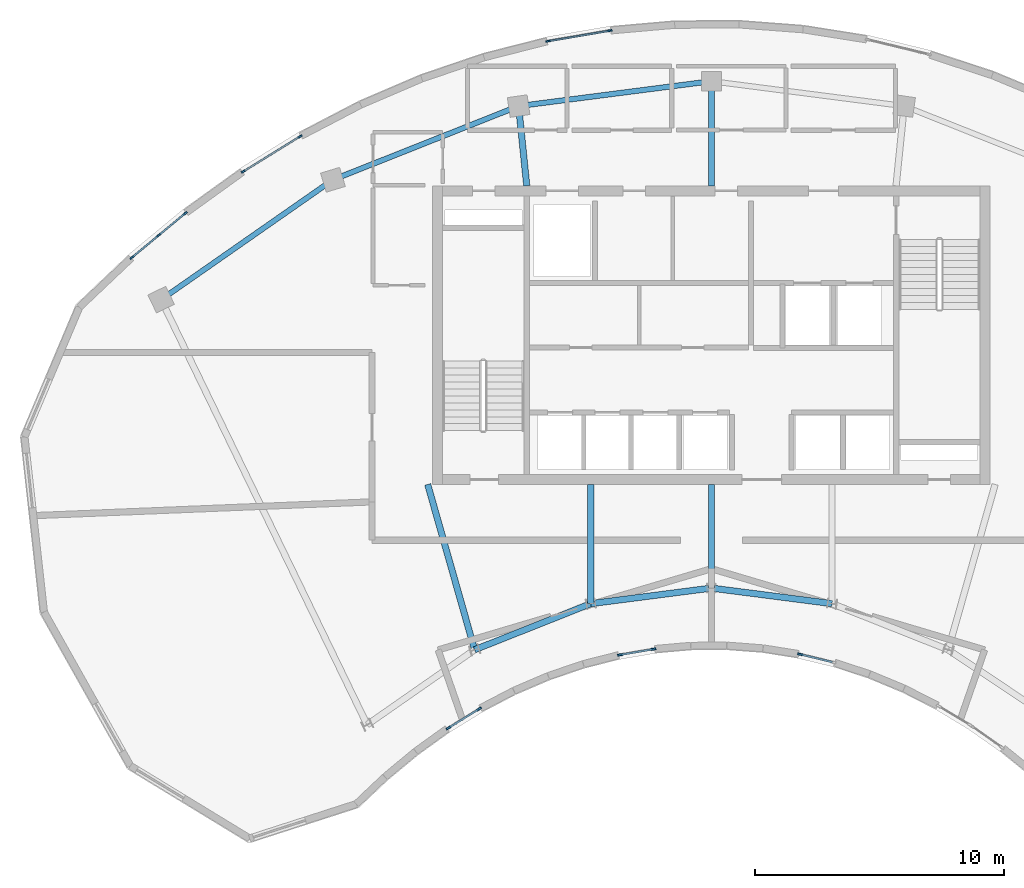
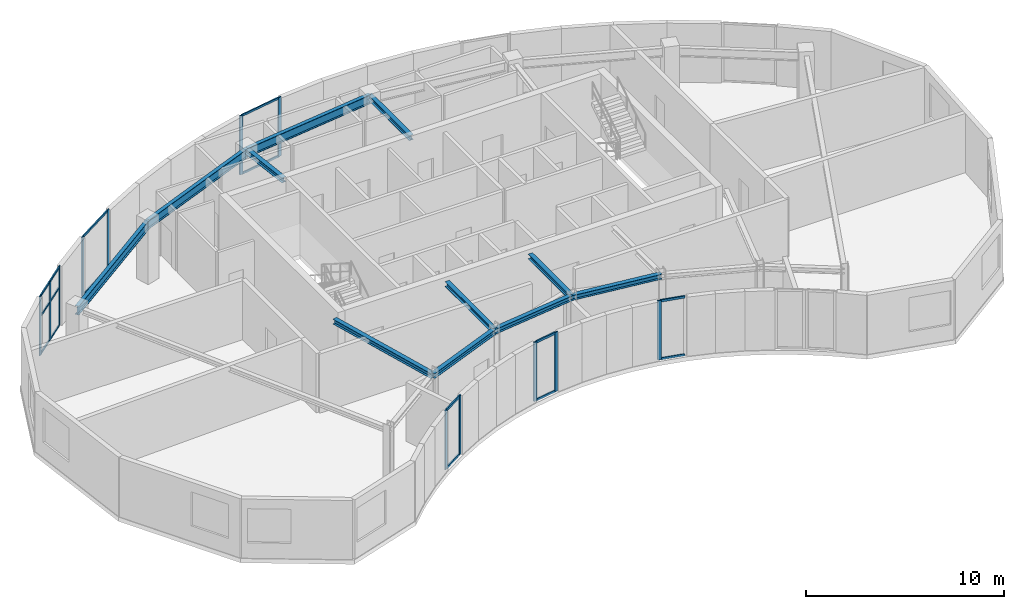
# One storey, part 2 of 9: 28 members, 11 beams, 6 elements without a shape of their own.
"""IFC4 building model written with IfcOpenShell, lengths in metres."""

from ifc_helpers import new_model, si_unit, direction, frame, origin, origin_2d, place, context, subcontext, project, spatial, rectangle, i_section, extrude, source, transform, mapped, material, layer, layer_set, material_profile, profile_set, type_object, element, aggregate, save


model = new_model("IFC4")

# Units and contexts
model_context = context("Model", 3, precision=1e-05, world=origin(), true_north=direction((0.0, 1.0)))
body_context = subcontext(model_context, "Body", "Model", "MODEL_VIEW")
ifc_project = project(units=[si_unit("LENGTHUNIT", "METRE"), si_unit("AREAUNIT", "SQUARE_METRE"), si_unit("VOLUMEUNIT", "CUBIC_METRE"), si_unit("PLANEANGLEUNIT", "RADIAN"), si_unit("MASSUNIT", "GRAM", prefix="KILO")], contexts=[model_context])

# Site, building, storey
site_placement = place(None, origin())
site = spatial("IfcSite", under=ifc_project, at=site_placement, CompositionType="ELEMENT")
building_placement = place(site_placement, origin())
building = spatial("IfcBuilding", under=site, at=building_placement, Name="Breltana Convention Tower", CompositionType="ELEMENT")
storey_placement = place(building_placement, frame((0.0, 0.0, 299.10009765625)))
storey = spatial("IfcBuildingStorey", under=building, at=storey_placement, Name="L73", CompositionType="ELEMENT", Elevation=299.10009765625)

# Beams
ifc_material_1 = material(Name="Steel ASTM A992 Grade 50", Category="steel")
ifc_material_profile_1 = material_profile(ifc_material_1, i_section(OverallWidth=0.214111328125, OverallDepth=0.549072265625, WebThickness=0.0146484375, FlangeThickness=0.023681640625, at=origin_2d()), Name="W21X93")
ifc_profile_set_1 = profile_set([ifc_material_profile_1], Name="Steel ASTM A992 Grade 50")
beam_type_1 = type_object("IfcBeamType", Name="BM-SP-W21X93", PredefinedType="SPANDREL", material=ifc_profile_set_1)
shared_shape_1 = source(origin(), body_context, "Body", "SweptSolid", [
    extrude(i_section(OverallWidth=0.214111328125, OverallDepth=0.549072265625, WebThickness=0.0146484375, FlangeThickness=0.023681640625, at=origin_2d()), origin(), (0.0, 0.0, 1.0), 8.4169921875),
])
beam_1_placement = place(storey_placement, frame((25.8876953125, 67.626953125, 3.365478515625), z_axis=(0.820173800102, 0.572114444519, 0.0), x_axis=(-0.572114444519, 0.820173800102, 0.0)))
element("IfcBeam", 1, at=beam_1_placement, inside=storey, type_object=beam_type_1, Name="L73 Outer Spandrel Beam 03", PredefinedType="SPANDREL", context=body_context, shape_type="MappedRepresentation", body=[
    mapped(shared_shape_1, transform((0.0, 0.0, 0.0), scale=1.0)),
])
shared_shape_2 = source(origin(), body_context, "Body", "SweptSolid", [
    extrude(i_section(OverallWidth=0.214111328125, OverallDepth=0.549072265625, WebThickness=0.0146484375, FlangeThickness=0.023681640625, at=origin_2d()), origin(), (0.0, 0.0, 1.0), 8.028564453125),
])
beam_2_placement = place(storey_placement, frame((32.791015625, 72.4423828125, 3.365478515625), z_axis=(0.929459100394, 0.368925169507, 0.0), x_axis=(-0.368925169507, 0.929459100394, 0.0)))
element("IfcBeam", 2, at=beam_2_placement, inside=storey, type_object=beam_type_1, Name="L73 Outer Spandrel Beam 04", PredefinedType="SPANDREL", context=body_context, shape_type="MappedRepresentation", body=[
    mapped(shared_shape_2, transform((0.0, 0.0, 0.0), scale=1.0)),
])
shared_shape_3 = source(origin(), body_context, "Body", "SweptSolid", [
    extrude(i_section(OverallWidth=0.214111328125, OverallDepth=0.549072265625, WebThickness=0.0146484375, FlangeThickness=0.023681640625, at=origin_2d()), origin(), (0.0, 0.0, 1.0), 7.81103515625),
])
beam_3_placement = place(storey_placement, frame((40.253173828125, 75.404296875, 3.365478515625), z_axis=(0.991775179127, 0.127992164083, 0.0), x_axis=(-0.127992164083, 0.991775179127, 0.0)))
element("IfcBeam", 3, at=beam_3_placement, inside=storey, type_object=beam_type_1, Name="L73 Outer Spandrel Beam 05", PredefinedType="SPANDREL", context=body_context, shape_type="MappedRepresentation", body=[
    mapped(shared_shape_3, transform((0.0, 0.0, 0.0), scale=1.0)),
])
ifc_material_profile_2 = material_profile(ifc_material_1, i_section(OverallWidth=0.25390625, OverallDepth=0.305908203125, WebThickness=0.0087890625, FlangeThickness=0.0146484375, at=origin_2d()), Name="W12X53")
ifc_profile_set_2 = profile_set([ifc_material_profile_2], Name="Steel ASTM A992 Grade 50")
beam_type_2 = type_object("IfcBeamType", Name="BM-CN-W12X53", PredefinedType="BEAM", material=ifc_profile_set_2)
shared_shape_4 = source(origin(), body_context, "Body", "SweptSolid", [
    extrude(i_section(OverallWidth=0.25390625, OverallDepth=0.305908203125, WebThickness=0.0087890625, FlangeThickness=0.0146484375, at=origin_2d()), origin(), (0.0, 0.0, 1.0), 6.904541015625),
])
beam_4_placement = place(storey_placement, frame((36.60009765625, 60.199951171875, 3.48681640625), z_axis=(0.273006781054, -0.962012108811, 0.0), x_axis=(0.962012108811, 0.273006781054, 0.0)))
element("IfcBeam", 4, at=beam_4_placement, inside=storey, type_object=beam_type_2, Name="L73 South Core Tie Girder R04", PredefinedType="BEAM", context=body_context, shape_type="MappedRepresentation", body=[
    mapped(shared_shape_4, transform((0.0, 0.0, 0.0), scale=1.0)),
])
shared_shape_5 = source(origin(), body_context, "Body", "SweptSolid", [
    extrude(i_section(OverallWidth=0.25390625, OverallDepth=0.305908203125, WebThickness=0.0087890625, FlangeThickness=0.0146484375, at=origin_2d()), origin(), (0.0, 0.0, 1.0), 4.789306640625),
])
beam_5_placement = place(storey_placement, frame((43.153564453125, 60.199951171875, 3.48681640625), z_axis=(0.0, -1.0, 0.0), x_axis=(1.0, 0.0, 0.0)))
element("IfcBeam", 5, at=beam_5_placement, inside=storey, type_object=beam_type_2, Name="L73 South Core Tie Girder R05", PredefinedType="BEAM", context=body_context, shape_type="MappedRepresentation", body=[
    mapped(shared_shape_5, transform((0.0, 0.0, 0.0), scale=1.0)),
])
shared_shape_6 = source(origin(), body_context, "Body", "SweptSolid", [
    extrude(i_section(OverallWidth=0.25390625, OverallDepth=0.305908203125, WebThickness=0.0087890625, FlangeThickness=0.0146484375, at=origin_2d()), origin(), (0.0, 0.0, 1.0), 3.220947265625),
])
beam_6_placement = place(storey_placement, frame((40.580078125, 72.199951171875, 3.48681640625), z_axis=(-0.101492254858, 0.994836329355, 0.0), x_axis=(-0.994836329355, -0.101492254858, 0.0)))
element("IfcBeam", 6, at=beam_6_placement, inside=storey, type_object=beam_type_2, Name="L73 North Core Radial Girder R05", PredefinedType="BEAM", context=body_context, shape_type="MappedRepresentation", body=[
    mapped(shared_shape_6, transform((0.0, 0.0, 0.0), scale=1.0)),
])
shared_shape_7 = source(origin(), body_context, "Body", "SweptSolid", [
    extrude(i_section(OverallWidth=0.25390625, OverallDepth=0.305908203125, WebThickness=0.0087890625, FlangeThickness=0.0146484375, at=origin_2d()), origin(), (0.0, 0.0, 1.0), 4.1640625),
])
beam_7_placement = place(storey_placement, frame((48.0, 60.199951171875, 3.48681640625), z_axis=(0.0, -1.0, 0.0), x_axis=(1.0, 0.0, 0.0)))
element("IfcBeam", 7, at=beam_7_placement, inside=storey, type_object=beam_type_2, Name="L73 South Core Tie Girder R06", PredefinedType="BEAM", context=body_context, shape_type="MappedRepresentation", body=[
    mapped(shared_shape_7, transform((0.0, 0.0, 0.0), scale=1.0)),
])
shared_shape_8 = source(origin(), body_context, "Body", "SweptSolid", [
    extrude(i_section(OverallWidth=0.25390625, OverallDepth=0.305908203125, WebThickness=0.0087890625, FlangeThickness=0.0146484375, at=origin_2d()), origin(), (0.0, 0.0, 1.0), 4.2041015625),
])
beam_8_placement = place(storey_placement, frame((48.0, 72.199951171875, 3.48681640625), z_axis=(0.0, 1.0, 0.0), x_axis=(-1.0, 0.0, 0.0)))
element("IfcBeam", 8, at=beam_8_placement, inside=storey, type_object=beam_type_2, Name="L73 North Core Radial Girder R06", PredefinedType="BEAM", context=body_context, shape_type="MappedRepresentation", body=[
    mapped(shared_shape_8, transform((0.0, 0.0, 0.0), scale=1.0)),
])
shared_shape_9 = source(origin(), body_context, "Body", "SweptSolid", [
    extrude(i_section(OverallWidth=0.25390625, OverallDepth=0.305908203125, WebThickness=0.0087890625, FlangeThickness=0.0146484375, at=origin_2d()), origin(), (0.0, 0.0, 1.0), 5.022705078125),
])
beam_9_placement = place(storey_placement, frame((38.485107421875, 53.5576171875, 3.48681640625), z_axis=(0.929458966248, 0.368925507469, 0.0), x_axis=(-0.368925507469, 0.929458966248, 0.0)))
element("IfcBeam", 9, at=beam_9_placement, inside=storey, type_object=beam_type_2, Name="L73 Inner Ring Beam 04", PredefinedType="BEAM", context=body_context, shape_type="MappedRepresentation", body=[
    mapped(shared_shape_9, transform((0.0, 0.0, 0.0), scale=1.0)),
])
shared_shape_10 = source(origin(), body_context, "Body", "SweptSolid", [
    extrude(i_section(OverallWidth=0.25390625, OverallDepth=0.305908203125, WebThickness=0.0087890625, FlangeThickness=0.0146484375, at=origin_2d()), origin(), (0.0, 0.0, 1.0), 4.88671875),
])
for number, where, z_axis, x_axis, name in (
    (10, (43.153564453125, 55.41064453125, 3.48681640625), (0.991780525565, 0.127950729231, 0.0), (-0.127950729231, 0.991780525565, 0.0), "L73 Inner Ring Beam 05"),
    (11, (48.0, 56.035888671875, 3.48681640625), (0.991780525565, -0.127950729231, 0.0), (0.127950729231, 0.991780525565, 0.0), "L73 Inner Ring Beam 06"),
):
    element("IfcBeam", number, at=place(storey_placement, frame(where, z_axis=z_axis, x_axis=x_axis)), inside=storey, type_object=beam_type_2, Name=name, PredefinedType="BEAM", context=body_context, shape_type="MappedRepresentation", body=[
        mapped(shared_shape_10, transform((0.0, 0.0, 0.0), scale=1.0)),
    ])

# Curtain wall, member
ifc_material_2 = material(Name="Aluminium Anodised Bronze Frame", Category="aluminium")
ifc_layer_1 = layer(ifc_material_2, 0.18994140625, Name="Aluminium Anodised Bronze Frame")
ifc_layer_set_1 = layer_set([ifc_layer_1], Name="Aluminium Anodised Bronze Frame")
curtain_wall_type_1 = type_object("IfcCurtainWallType", Name="CW-SYS-1", PredefinedType="NOTDEFINED", material=ifc_layer_set_1)
curtain_wall_1_placement = place(storey_placement, origin())
curtain_wall_1 = element("IfcCurtainWall", 12, at=curtain_wall_1_placement, inside=storey, type_object=curtain_wall_type_1, Name="L73 inner south-court glazing 3", PredefinedType="NOTDEFINED")
ifc_material_3 = material(Name="Aluminium Anodised Bronze", Category="aluminium")
ifc_material_profile_3 = material_profile(ifc_material_3, rectangle(XDim=0.080078125, YDim=0.199951171875, at=origin_2d()), Name="CWM-80X200")
ifc_profile_set_3 = profile_set([ifc_material_profile_3], Name="Aluminium Anodised Bronze")
member_type_1 = type_object("IfcMemberType", Name="CWM-200", PredefinedType="MULLION", material=ifc_profile_set_3)
shared_shape_11 = source(origin(), body_context, "Body", "SweptSolid", [
    extrude(rectangle(XDim=0.080078125, YDim=0.199951171875, at=origin_2d()), origin(), (0.0, 0.0, 1.0), 3.639892578125),
])
member_1_placement = place(storey_placement, frame((51.562255859375, 53.3759765625, 0.0), z_axis=(0.0, 0.0, 1.0), x_axis=(-0.235517485062, -0.97187011181, 0.0)))
member_1 = element("IfcMember", 13, at=member_1_placement, type_object=member_type_1, Name="CW-01 mullion 2", PredefinedType="MULLION", context=body_context, shape_type="MappedRepresentation", body=[
    mapped(shared_shape_11, transform((0.0, 0.0, 0.0), scale=1.0)),
])

# Curtain wall, members
curtain_wall_2_placement = place(storey_placement, origin())
curtain_wall_2 = element("IfcCurtainWall", 14, at=curtain_wall_2_placement, inside=storey, type_object=curtain_wall_type_1, Name="L73 inner south-court glazing 4", PredefinedType="NOTDEFINED")
member_2_placement = place(storey_placement, frame((45.673095703125, 53.582275390625, 0.0), z_axis=(0.0, 0.0, 1.0), x_axis=(0.168027922521, -0.985782236223, 0.0)))
member_2 = element("IfcMember", 15, at=member_2_placement, type_object=member_type_1, Name="CW-01 mullion 1", PredefinedType="MULLION", context=body_context, shape_type="MappedRepresentation", body=[
    mapped(shared_shape_11, transform((0.0, 0.0, 0.0), scale=1.0)),
])
member_3_placement = place(storey_placement, frame((44.3251953125, 53.3525390625, 0.0), z_axis=(0.0, 0.0, 1.0), x_axis=(0.168027922521, -0.985782236223, 0.0)))
member_3 = element("IfcMember", 16, at=member_3_placement, type_object=member_type_1, Name="CW-01 mullion 2", PredefinedType="MULLION", context=body_context, shape_type="MappedRepresentation", body=[
    mapped(shared_shape_11, transform((0.0, 0.0, 0.0), scale=1.0)),
])

curtain_wall_3_placement = place(storey_placement, origin())
curtain_wall_3 = element("IfcCurtainWall", 17, at=curtain_wall_3_placement, inside=storey, type_object=curtain_wall_type_1, Name="L73 inner south-court glazing 5", PredefinedType="NOTDEFINED")
member_4_placement = place(storey_placement, frame((38.669677734375, 51.180419921875, 0.0), z_axis=(0.0, 0.0, 1.0), x_axis=(0.525571911271, -0.850749179302, 0.0)))
member_4 = element("IfcMember", 18, at=member_4_placement, type_object=member_type_1, Name="CW-01 mullion 1", PredefinedType="MULLION", context=body_context, shape_type="MappedRepresentation", body=[
    mapped(shared_shape_11, transform((0.0, 0.0, 0.0), scale=1.0)),
])
member_5_placement = place(storey_placement, frame((37.431396484375, 50.41552734375, 0.0), z_axis=(0.0, 0.0, 1.0), x_axis=(0.525571911271, -0.850749179302, 0.0)))
member_5 = element("IfcMember", 19, at=member_5_placement, type_object=member_type_1, Name="CW-01 mullion 2", PredefinedType="MULLION", context=body_context, shape_type="MappedRepresentation", body=[
    mapped(shared_shape_11, transform((0.0, 0.0, 0.0), scale=1.0)),
])

ifc_layer_2 = layer(ifc_material_2, 0.22998046875, Name="Aluminium Anodised Bronze Frame")
ifc_layer_set_2 = layer_set([ifc_layer_2], Name="Aluminium Anodised Bronze Frame")
curtain_wall_type_2 = type_object("IfcCurtainWallType", Name="CW-SYS-5", PredefinedType="NOTDEFINED", material=ifc_layer_set_2)
curtain_wall_4_placement = place(storey_placement, origin())
curtain_wall_4 = element("IfcCurtainWall", 20, at=curtain_wall_4_placement, inside=storey, type_object=curtain_wall_type_2, Name="L73 outer double-skin inner glazing 1", PredefinedType="NOTDEFINED")
ifc_material_profile_4 = material_profile(ifc_material_3, rectangle(XDim=0.070068359375, YDim=0.175048828125, at=origin_2d()), Name="CWM-70X175")
ifc_profile_set_4 = profile_set([ifc_material_profile_4], Name="Aluminium Anodised Bronze")
member_type_2 = type_object("IfcMemberType", Name="CWM-175", PredefinedType="MULLION", material=ifc_profile_set_4)
shared_shape_12 = source(origin(), body_context, "Body", "SweptSolid", [
    extrude(rectangle(XDim=0.070068359375, YDim=0.175048828125, at=origin_2d()), origin(), (0.0, 0.0, 1.0), 3.639892578125),
])
member_6_placement = place(storey_placement, frame((24.716796875, 69.321533203125, 0.0), z_axis=(0.0, 0.0, 1.0), x_axis=(-0.638320160979, 0.76977098678, 0.0)))
member_6 = element("IfcMember", 21, at=member_6_placement, type_object=member_type_2, Name="CW-05 mullion 1", PredefinedType="MULLION", context=body_context, shape_type="MappedRepresentation", body=[
    mapped(shared_shape_12, transform((0.0, 0.0, 0.0), scale=1.0)),
])
member_7_placement = place(storey_placement, frame((25.78759765625, 70.209228515625, 0.0), z_axis=(0.0, 0.0, 1.0), x_axis=(-0.638320160979, 0.76977098678, 0.0)))
member_7 = element("IfcMember", 22, at=member_7_placement, type_object=member_type_2, Name="CW-05 mullion 2", PredefinedType="MULLION", context=body_context, shape_type="MappedRepresentation", body=[
    mapped(shared_shape_12, transform((0.0, 0.0, 0.0), scale=1.0)),
])
member_8_placement = place(storey_placement, frame((26.858154296875, 71.09716796875, 0.0), z_axis=(0.0, 0.0, 1.0), x_axis=(-0.638320160979, 0.76977098678, 0.0)))
member_8 = element("IfcMember", 23, at=member_8_placement, type_object=member_type_2, Name="CW-05 mullion 3", PredefinedType="MULLION", context=body_context, shape_type="MappedRepresentation", body=[
    mapped(shared_shape_12, transform((0.0, 0.0, 0.0), scale=1.0)),
])

curtain_wall_5_placement = place(storey_placement, origin())
curtain_wall_5 = element("IfcCurtainWall", 24, at=curtain_wall_5_placement, inside=storey, type_object=curtain_wall_type_2, Name="L73 outer double-skin inner glazing 2", PredefinedType="NOTDEFINED")
member_9_placement = place(storey_placement, frame((29.188720703125, 72.775146484375, 0.0), z_axis=(0.0, 0.0, 1.0), x_axis=(-0.525540797325, 0.850768399946, 0.0)))
member_9 = element("IfcMember", 25, at=member_9_placement, type_object=member_type_2, Name="CW-05 mullion 1", PredefinedType="MULLION", context=body_context, shape_type="MappedRepresentation", body=[
    mapped(shared_shape_12, transform((0.0, 0.0, 0.0), scale=1.0)),
])
member_10_placement = place(storey_placement, frame((31.47265625, 74.18603515625, 0.0), z_axis=(0.0, 0.0, 1.0), x_axis=(-0.525540797325, 0.850768399946, 0.0)))
member_10 = element("IfcMember", 26, at=member_10_placement, type_object=member_type_2, Name="CW-05 mullion 2", PredefinedType="MULLION", context=body_context, shape_type="MappedRepresentation", body=[
    mapped(shared_shape_12, transform((0.0, 0.0, 0.0), scale=1.0)),
])

curtain_wall_6_placement = place(storey_placement, origin())
curtain_wall_6 = element("IfcCurtainWall", 27, at=curtain_wall_6_placement, inside=storey, type_object=curtain_wall_type_2, Name="L73 outer double-skin inner glazing 3", PredefinedType="NOTDEFINED")
member_11_placement = place(storey_placement, frame((41.431396484375, 78.012451171875, 0.0), z_axis=(0.0, 0.0, 1.0), x_axis=(-0.168016928095, 0.985784110175, 0.0)))
member_11 = element("IfcMember", 28, at=member_11_placement, type_object=member_type_2, Name="CW-05 mullion 1", PredefinedType="MULLION", context=body_context, shape_type="MappedRepresentation", body=[
    mapped(shared_shape_12, transform((0.0, 0.0, 0.0), scale=1.0)),
])
member_12_placement = place(storey_placement, frame((43.919677734375, 78.4365234375, 0.0), z_axis=(0.0, 0.0, 1.0), x_axis=(-0.168016928095, 0.985784110175, 0.0)))
member_12 = element("IfcMember", 29, at=member_12_placement, type_object=member_type_2, Name="CW-05 mullion 2", PredefinedType="MULLION", context=body_context, shape_type="MappedRepresentation", body=[
    mapped(shared_shape_12, transform((0.0, 0.0, 0.0), scale=1.0)),
])

# Member
ifc_material_profile_5 = material_profile(ifc_material_3, rectangle(XDim=0.080078125, YDim=0.139892578125, at=origin_2d()), Name="CWT-80X140")
ifc_profile_set_5 = profile_set([ifc_material_profile_5], Name="Aluminium Anodised Bronze")
member_type_3 = type_object("IfcMemberType", Name="CWT-140", PredefinedType="USERDEFINED", material=ifc_profile_set_5)
shared_shape_13 = source(origin(), body_context, "Body", "SweptSolid", [
    extrude(rectangle(XDim=0.080078125, YDim=0.139892578125, at=origin_2d()), origin(), (0.0, 0.0, 1.0), 1.296142578125),
])
member_13_placement = place(storey_placement, frame((52.86083984375, 53.06103515625, 0.039794921875), z_axis=(-0.97184618516, 0.235616197216, 0.0), x_axis=(-0.235616197216, -0.97184618516, 0.0)))
member_13 = element("IfcMember", 30, at=member_13_placement, type_object=member_type_3, Name="CW-01 transom 1.1", ObjectType="TRANSOM", PredefinedType="USERDEFINED", context=body_context, shape_type="MappedRepresentation", body=[
    mapped(shared_shape_13, transform((0.0, 0.0, 0.0), scale=1.0)),
])

member_14_placement = place(storey_placement, frame((52.86083984375, 53.06103515625, 3.599853515625), z_axis=(-0.97184618516, 0.235616197216, 0.0), x_axis=(-0.235616197216, -0.97184618516, 0.0)))
member_14 = element("IfcMember", 31, at=member_14_placement, type_object=member_type_3, Name="CW-01 transom 1.2", ObjectType="TRANSOM", PredefinedType="USERDEFINED", context=body_context, shape_type="MappedRepresentation", body=[
    mapped(shared_shape_13, transform((0.0, 0.0, 0.0), scale=1.0)),
])

aggregate(curtain_wall_1, [member_1, member_13, member_14])

shared_shape_14 = source(origin(), body_context, "Body", "SweptSolid", [
    extrude(rectangle(XDim=0.080078125, YDim=0.139892578125, at=origin_2d()), origin(), (0.0, 0.0, 1.0), 1.287353515625),
])
member_15_placement = place(storey_placement, frame((45.6337890625, 53.57568359375, 0.039794921875), z_axis=(-0.985782429966, -0.16802678587, 0.0), x_axis=(0.16802678587, -0.985782429966, 0.0)))
member_15 = element("IfcMember", 32, at=member_15_placement, type_object=member_type_3, Name="CW-01 transom 1.1", ObjectType="TRANSOM", PredefinedType="USERDEFINED", context=body_context, shape_type="MappedRepresentation", body=[
    mapped(shared_shape_14, transform((0.0, 0.0, 0.0), scale=1.0)),
])

member_16_placement = place(storey_placement, frame((45.6337890625, 53.57568359375, 3.599853515625), z_axis=(-0.985782429966, -0.16802678587, 0.0), x_axis=(0.16802678587, -0.985782429966, 0.0)))
member_16 = element("IfcMember", 33, at=member_16_placement, type_object=member_type_3, Name="CW-01 transom 1.2", ObjectType="TRANSOM", PredefinedType="USERDEFINED", context=body_context, shape_type="MappedRepresentation", body=[
    mapped(shared_shape_14, transform((0.0, 0.0, 0.0), scale=1.0)),
])

aggregate(curtain_wall_2, [member_2, member_3, member_15, member_16])

shared_shape_15 = source(origin(), body_context, "Body", "SweptSolid", [
    extrude(rectangle(XDim=0.080078125, YDim=0.139892578125, at=origin_2d()), origin(), (0.0, 0.0, 1.0), 1.37548828125),
])
member_17_placement = place(storey_placement, frame((38.6357421875, 51.159423828125, 0.039794921875), z_axis=(-0.850748978808, -0.525572235813, 0.0), x_axis=(0.525572235813, -0.850748978808, 0.0)))
member_17 = element("IfcMember", 34, at=member_17_placement, type_object=member_type_3, Name="CW-01 transom 1.1", ObjectType="TRANSOM", PredefinedType="USERDEFINED", context=body_context, shape_type="MappedRepresentation", body=[
    mapped(shared_shape_15, transform((0.0, 0.0, 0.0), scale=1.0)),
])

member_18_placement = place(storey_placement, frame((38.6357421875, 51.159423828125, 3.599853515625), z_axis=(-0.850748978808, -0.525572235813, 0.0), x_axis=(0.525572235813, -0.850748978808, 0.0)))
member_18 = element("IfcMember", 35, at=member_18_placement, type_object=member_type_3, Name="CW-01 transom 1.2", ObjectType="TRANSOM", PredefinedType="USERDEFINED", context=body_context, shape_type="MappedRepresentation", body=[
    mapped(shared_shape_15, transform((0.0, 0.0, 0.0), scale=1.0)),
])

aggregate(curtain_wall_3, [member_4, member_5, member_17, member_18])

ifc_material_profile_6 = material_profile(ifc_material_3, rectangle(XDim=0.070068359375, YDim=0.1201171875, at=origin_2d()), Name="CWT-70X120")
ifc_profile_set_6 = profile_set([ifc_material_profile_6], Name="Aluminium Anodised Bronze")
member_type_4 = type_object("IfcMemberType", Name="CWT-120", PredefinedType="USERDEFINED", material=ifc_profile_set_6)
shared_shape_16 = source(origin(), body_context, "Body", "SweptSolid", [
    extrude(rectangle(XDim=0.070068359375, YDim=0.1201171875, at=origin_2d()), origin(), (0.0, 0.0, 1.0), 2.454345703125),
])
member_19_placement = place(storey_placement, frame((41.4658203125, 78.018310546875, 0.034912109375), z_axis=(0.985785086136, 0.168011201865, 0.0), x_axis=(-0.168011201865, 0.985785086136, 0.0)))
member_19 = element("IfcMember", 36, at=member_19_placement, type_object=member_type_4, Name="CW-05 transom 1.1", ObjectType="TRANSOM", PredefinedType="USERDEFINED", context=body_context, shape_type="MappedRepresentation", body=[
    mapped(shared_shape_16, transform((0.0, 0.0, 0.0), scale=1.0)),
])

member_20_placement = place(storey_placement, frame((41.4658203125, 78.018310546875, 3.60498046875), z_axis=(0.985785086136, 0.168011201865, 0.0), x_axis=(-0.168011201865, 0.985785086136, 0.0)))
member_20 = element("IfcMember", 37, at=member_20_placement, type_object=member_type_4, Name="CW-05 transom 1.2", ObjectType="TRANSOM", PredefinedType="USERDEFINED", context=body_context, shape_type="MappedRepresentation", body=[
    mapped(shared_shape_16, transform((0.0, 0.0, 0.0), scale=1.0)),
])

aggregate(curtain_wall_6, [member_11, member_12, member_19, member_20])

shared_shape_17 = source(origin(), body_context, "Body", "SweptSolid", [
    extrude(rectangle(XDim=0.070068359375, YDim=0.1201171875, at=origin_2d()), origin(), (0.0, 0.0, 1.0), 1.321044921875),
])
member_21_placement = place(storey_placement, frame((24.74365234375, 69.34375, 0.034912109375), z_axis=(0.769749100727, 0.63834655316, 0.0), x_axis=(-0.63834655316, 0.769749100727, 0.0)))
member_21 = element("IfcMember", 38, at=member_21_placement, type_object=member_type_4, Name="CW-05 transom 1.1", ObjectType="TRANSOM", PredefinedType="USERDEFINED", context=body_context, shape_type="MappedRepresentation", body=[
    mapped(shared_shape_17, transform((0.0, 0.0, 0.0), scale=1.0)),
])

member_22_placement = place(storey_placement, frame((24.74365234375, 69.34375, 2.365966796875), z_axis=(0.769749100727, 0.63834655316, 0.0), x_axis=(-0.63834655316, 0.769749100727, 0.0)))
member_22 = element("IfcMember", 39, at=member_22_placement, type_object=member_type_4, Name="CW-05 transom 1.2", ObjectType="TRANSOM", PredefinedType="USERDEFINED", context=body_context, shape_type="MappedRepresentation", body=[
    mapped(shared_shape_17, transform((0.0, 0.0, 0.0), scale=1.0)),
])

member_23_placement = place(storey_placement, frame((24.74365234375, 69.34375, 3.60498046875), z_axis=(0.769749100727, 0.63834655316, 0.0), x_axis=(-0.63834655316, 0.769749100727, 0.0)))
member_23 = element("IfcMember", 40, at=member_23_placement, type_object=member_type_4, Name="CW-05 transom 1.3", ObjectType="TRANSOM", PredefinedType="USERDEFINED", context=body_context, shape_type="MappedRepresentation", body=[
    mapped(shared_shape_17, transform((0.0, 0.0, 0.0), scale=1.0)),
])

member_24_placement = place(storey_placement, frame((25.814453125, 70.231689453125, 0.034912109375), z_axis=(0.769749100727, 0.63834655316, 0.0), x_axis=(-0.63834655316, 0.769749100727, 0.0)))
member_24 = element("IfcMember", 41, at=member_24_placement, type_object=member_type_4, Name="CW-05 transom 2.1", ObjectType="TRANSOM", PredefinedType="USERDEFINED", context=body_context, shape_type="MappedRepresentation", body=[
    mapped(shared_shape_17, transform((0.0, 0.0, 0.0), scale=1.0)),
])

member_25_placement = place(storey_placement, frame((25.814453125, 70.231689453125, 2.365966796875), z_axis=(0.769749100727, 0.63834655316, 0.0), x_axis=(-0.63834655316, 0.769749100727, 0.0)))
member_25 = element("IfcMember", 42, at=member_25_placement, type_object=member_type_4, Name="CW-05 transom 2.2", ObjectType="TRANSOM", PredefinedType="USERDEFINED", context=body_context, shape_type="MappedRepresentation", body=[
    mapped(shared_shape_17, transform((0.0, 0.0, 0.0), scale=1.0)),
])

member_26_placement = place(storey_placement, frame((25.814453125, 70.231689453125, 3.60498046875), z_axis=(0.769749100727, 0.63834655316, 0.0), x_axis=(-0.63834655316, 0.769749100727, 0.0)))
member_26 = element("IfcMember", 43, at=member_26_placement, type_object=member_type_4, Name="CW-05 transom 2.3", ObjectType="TRANSOM", PredefinedType="USERDEFINED", context=body_context, shape_type="MappedRepresentation", body=[
    mapped(shared_shape_17, transform((0.0, 0.0, 0.0), scale=1.0)),
])

aggregate(curtain_wall_4, [member_6, member_7, member_8, member_21, member_22, member_23, member_24, member_25, member_26])

shared_shape_18 = source(origin(), body_context, "Body", "SweptSolid", [
    extrude(rectangle(XDim=0.070068359375, YDim=0.1201171875, at=origin_2d()), origin(), (0.0, 0.0, 1.0), 2.614501953125),
])
member_27_placement = place(storey_placement, frame((29.218505859375, 72.793701171875, 0.034912109375), z_axis=(0.850772210516, 0.525534628557, 0.0), x_axis=(-0.525534628557, 0.850772210516, 0.0)))
member_27 = element("IfcMember", 44, at=member_27_placement, type_object=member_type_4, Name="CW-05 transom 1.1", ObjectType="TRANSOM", PredefinedType="USERDEFINED", context=body_context, shape_type="MappedRepresentation", body=[
    mapped(shared_shape_18, transform((0.0, 0.0, 0.0), scale=1.0)),
])

member_28_placement = place(storey_placement, frame((29.218505859375, 72.793701171875, 3.60498046875), z_axis=(0.850772210516, 0.525534628557, 0.0), x_axis=(-0.525534628557, 0.850772210516, 0.0)))
member_28 = element("IfcMember", 45, at=member_28_placement, type_object=member_type_4, Name="CW-05 transom 1.2", ObjectType="TRANSOM", PredefinedType="USERDEFINED", context=body_context, shape_type="MappedRepresentation", body=[
    mapped(shared_shape_18, transform((0.0, 0.0, 0.0), scale=1.0)),
])

aggregate(curtain_wall_5, [member_9, member_10, member_27, member_28])

save(model, "model.ifc")
